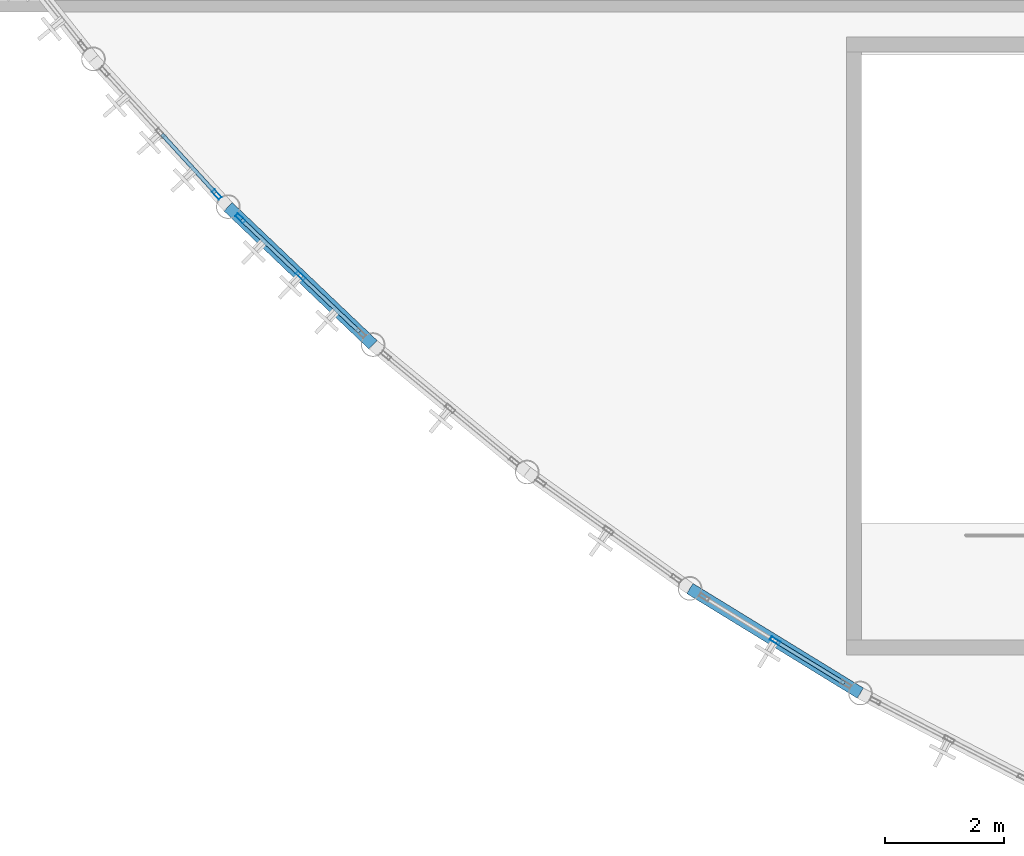
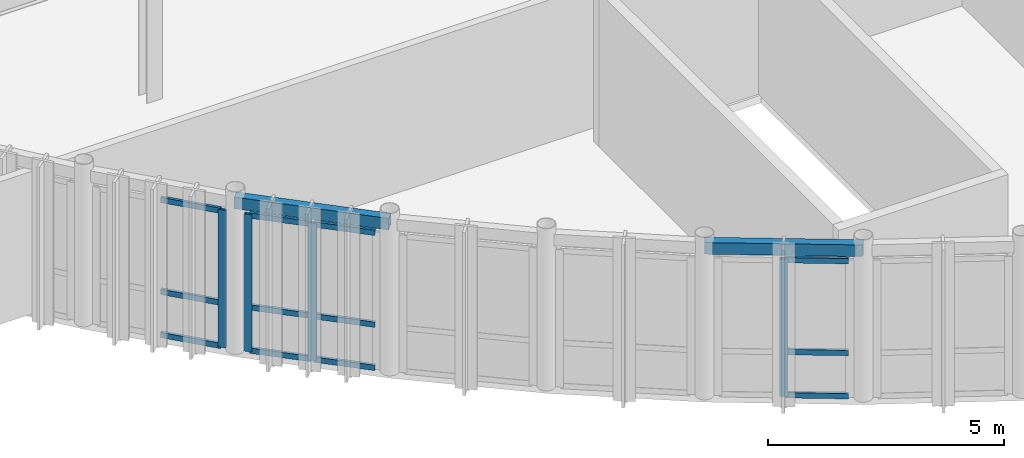
# One storey, part 12 of 54: 16 members, 2 beams, 3 elements without a shape of their own.
"""IFC4 building model written with IfcOpenShell, lengths in metres."""

from ifc_helpers import new_model, si_unit, direction, frame, origin, origin_2d, place, context, subcontext, project, spatial, hollow_rectangle, extrude, material, layer, layer_set, material_profile, profile_set, type_object, element, aggregate, save


model = new_model("IFC4")

# Units and contexts
model_context = context("Model", 3, precision=1e-05, world=origin(), true_north=direction((0.0, 1.0)))
body_context = subcontext(model_context, "Body", "Model", "MODEL_VIEW")
ifc_project = project(units=[si_unit("LENGTHUNIT", "METRE"), si_unit("AREAUNIT", "SQUARE_METRE"), si_unit("VOLUMEUNIT", "CUBIC_METRE"), si_unit("PLANEANGLEUNIT", "RADIAN"), si_unit("MASSUNIT", "GRAM", prefix="KILO")], contexts=[model_context])

# Site, building, storey
site_placement = place(None, origin())
site = spatial("IfcSite", under=ifc_project, at=site_placement, CompositionType="ELEMENT")
building_placement = place(site_placement, origin())
building = spatial("IfcBuilding", under=site, at=building_placement, Name="Selat Folded Stagehouse", CompositionType="ELEMENT")
storey_placement = place(building_placement, frame((0.0, 0.0, 15.0)))
storey = spatial("IfcBuildingStorey", under=building, at=storey_placement, Name="L03", CompositionType="ELEMENT", Elevation=15.0)

# Curtain wall, member
ifc_material_1 = material(Name="Aluminium 6063-T6", Category="aluminium")
ifc_layer = layer(ifc_material_1, 0.18505859375)
ifc_layer_set = layer_set([ifc_layer], Name="Aluminium 6063-T6")
curtain_wall_type = type_object("IfcCurtainWallType", Name="CW-DRM-UPPER", PredefinedType="NOTDEFINED", material=ifc_layer_set)
curtain_wall_1_placement = place(storey_placement, origin())
curtain_wall_1 = element("IfcCurtainWall", 1, at=curtain_wall_1_placement, inside=storey, type_object=curtain_wall_type, Name="L03 curtain wall CW-DRM-L03-12", PredefinedType="NOTDEFINED")
ifc_material_profile_1 = material_profile(ifc_material_1, hollow_rectangle(XDim=0.06494140625, YDim=0.179931640625, WallThickness=0.00390625, at=origin_2d()), Name="ALU 180x65x4.0")
ifc_profile_set_1 = profile_set([ifc_material_profile_1], Name="Aluminium 6063-T6")
member_type_1 = type_object("IfcMemberType", Name="CWM-MUL-180x65", PredefinedType="MULLION", material=ifc_profile_set_1)
member_1_placement = place(storey_placement, frame((13.507080078125, 14.633056640625, 0.0), z_axis=(0.0, 0.0, 1.0), x_axis=(-0.738729183213, -0.674002369336, 0.0)))
member_1 = element("IfcMember", 2, at=member_1_placement, type_object=member_type_1, Name="CW-03 mullion 1", PredefinedType="MULLION", context=body_context, shape_type="SweptSolid", body=[
    extrude(hollow_rectangle(XDim=0.06494140625, YDim=0.179931640625, WallThickness=0.00390625, at=origin_2d()), origin(), (0.0, 0.0, 1.0), 3.56005859375),
])

# Curtain wall, members
curtain_wall_2_placement = place(storey_placement, origin())
curtain_wall_2 = element("IfcCurtainWall", 3, at=curtain_wall_2_placement, inside=storey, type_object=curtain_wall_type, Name="L03 curtain wall CW-DRM-L03-13", PredefinedType="NOTDEFINED")
member_2_placement = place(storey_placement, frame((14.917236328125, 13.262451171875, 0.0), z_axis=(0.0, 0.0, 1.0), x_axis=(-0.689661264636, -0.724132128869, 0.0)))
member_2 = element("IfcMember", 4, at=member_2_placement, type_object=member_type_1, Name="CW-03 mullion 2", PredefinedType="MULLION", context=body_context, shape_type="SweptSolid", body=[
    extrude(hollow_rectangle(XDim=0.06494140625, YDim=0.179931640625, WallThickness=0.00390625, at=origin_2d()), origin(), (0.0, 0.0, 1.0), 3.56005859375),
])
member_3_placement = place(storey_placement, frame((13.90185546875, 14.2294921875, 0.0), z_axis=(0.0, 0.0, 1.0), x_axis=(-0.689661264636, -0.724132128869, 0.0)))
member_3 = element("IfcMember", 5, at=member_3_placement, type_object=member_type_1, Name="CW-03 mullion 3", PredefinedType="MULLION", context=body_context, shape_type="SweptSolid", body=[
    extrude(hollow_rectangle(XDim=0.06494140625, YDim=0.179931640625, WallThickness=0.00390625, at=origin_2d()), origin(), (0.0, 0.0, 1.0), 3.56005859375),
])

# Curtain wall, member
curtain_wall_3_placement = place(storey_placement, origin())
curtain_wall_3 = element("IfcCurtainWall", 6, at=curtain_wall_3_placement, inside=storey, type_object=curtain_wall_type, Name="L03 curtain wall CW-DRM-L03-16", PredefinedType="NOTDEFINED")
member_4_placement = place(storey_placement, frame((22.91015625, 7.114013671875, 0.0), z_axis=(0.0, 0.0, 1.0), x_axis=(-0.523025427755, -0.852317078277, 0.0)))
member_4 = element("IfcMember", 7, at=member_4_placement, type_object=member_type_1, Name="CW-03 mullion 2", PredefinedType="MULLION", context=body_context, shape_type="SweptSolid", body=[
    extrude(hollow_rectangle(XDim=0.06494140625, YDim=0.179931640625, WallThickness=0.00390625, at=origin_2d()), origin(), (0.0, 0.0, 1.0), 3.56005859375),
])

# Member
ifc_material_profile_2 = material_profile(ifc_material_1, hollow_rectangle(XDim=0.06494140625, YDim=0.139892578125, WallThickness=0.00390625, at=origin_2d()), Name="ALU 140x65x4.0")
ifc_profile_set_2 = profile_set([ifc_material_profile_2], Name="Aluminium 6063-T6")
member_type_2 = type_object("IfcMemberType", Name="CWM-TRN-140x65", PredefinedType="USERDEFINED", material=ifc_profile_set_2)
member_5_placement = place(storey_placement, frame((13.485107421875, 14.656982421875, 0.032470703125), z_axis=(-0.673953245799, 0.738773999594, 0.0), x_axis=(-0.738773999594, -0.673953245799, 0.0)))
member_5 = element("IfcMember", 8, at=member_5_placement, type_object=member_type_2, Name="CW-03 transom 1.1", ObjectType="TRANSOM", PredefinedType="USERDEFINED", context=body_context, shape_type="SweptSolid", body=[
    extrude(hollow_rectangle(XDim=0.06494140625, YDim=0.139892578125, WallThickness=0.00390625, at=origin_2d()), origin(), (0.0, 0.0, 1.0), 1.337158203125),
])

member_6_placement = place(storey_placement, frame((13.485107421875, 14.656982421875, 1.14990234375), z_axis=(-0.673953245799, 0.738773999594, 0.0), x_axis=(-0.738773999594, -0.673953245799, 0.0)))
member_6 = element("IfcMember", 9, at=member_6_placement, type_object=member_type_2, Name="CW-03 transom 1.2", ObjectType="TRANSOM", PredefinedType="USERDEFINED", context=body_context, shape_type="SweptSolid", body=[
    extrude(hollow_rectangle(XDim=0.06494140625, YDim=0.139892578125, WallThickness=0.00390625, at=origin_2d()), origin(), (0.0, 0.0, 1.0), 1.337158203125),
])

member_7_placement = place(storey_placement, frame((13.485107421875, 14.656982421875, 3.527587890625), z_axis=(-0.673953245799, 0.738773999594, 0.0), x_axis=(-0.738773999594, -0.673953245799, 0.0)))
member_7 = element("IfcMember", 10, at=member_7_placement, type_object=member_type_2, Name="CW-03 transom 1.3", ObjectType="TRANSOM", PredefinedType="USERDEFINED", context=body_context, shape_type="SweptSolid", body=[
    extrude(hollow_rectangle(XDim=0.06494140625, YDim=0.139892578125, WallThickness=0.00390625, at=origin_2d()), origin(), (0.0, 0.0, 1.0), 1.337158203125),
])

aggregate(curtain_wall_1, [member_1, member_5, member_6, member_7])

member_8_placement = place(storey_placement, frame((15.908935546875, 12.318115234375, 0.032470703125), z_axis=(-0.724150957523, 0.689641494343, 0.0), x_axis=(-0.689641494343, -0.724150957523, 0.0)))
member_8 = element("IfcMember", 11, at=member_8_placement, type_object=member_type_2, Name="CW-03 transom 1.1", ObjectType="TRANSOM", PredefinedType="USERDEFINED", context=body_context, shape_type="SweptSolid", body=[
    extrude(hollow_rectangle(XDim=0.06494140625, YDim=0.139892578125, WallThickness=0.00390625, at=origin_2d()), origin(), (0.0, 0.0, 1.0), 1.337158203125),
])

member_9_placement = place(storey_placement, frame((15.908935546875, 12.318115234375, 1.14990234375), z_axis=(-0.724150957523, 0.689641494343, 0.0), x_axis=(-0.689641494343, -0.724150957523, 0.0)))
member_9 = element("IfcMember", 12, at=member_9_placement, type_object=member_type_2, Name="CW-03 transom 1.2", ObjectType="TRANSOM", PredefinedType="USERDEFINED", context=body_context, shape_type="SweptSolid", body=[
    extrude(hollow_rectangle(XDim=0.06494140625, YDim=0.139892578125, WallThickness=0.00390625, at=origin_2d()), origin(), (0.0, 0.0, 1.0), 1.337158203125),
])

member_10_placement = place(storey_placement, frame((15.908935546875, 12.318115234375, 3.527587890625), z_axis=(-0.724150957523, 0.689641494343, 0.0), x_axis=(-0.689641494343, -0.724150957523, 0.0)))
member_10 = element("IfcMember", 13, at=member_10_placement, type_object=member_type_2, Name="CW-03 transom 1.3", ObjectType="TRANSOM", PredefinedType="USERDEFINED", context=body_context, shape_type="SweptSolid", body=[
    extrude(hollow_rectangle(XDim=0.06494140625, YDim=0.139892578125, WallThickness=0.00390625, at=origin_2d()), origin(), (0.0, 0.0, 1.0), 1.337158203125),
])

member_11_placement = place(storey_placement, frame((14.8935546875, 13.284912109375, 0.032470703125), z_axis=(-0.724064099626, 0.689732687084, 0.0), x_axis=(-0.689732687084, -0.724064099626, 0.0)))
member_11 = element("IfcMember", 14, at=member_11_placement, type_object=member_type_2, Name="CW-03 transom 2.1", ObjectType="TRANSOM", PredefinedType="USERDEFINED", context=body_context, shape_type="SweptSolid", body=[
    extrude(hollow_rectangle(XDim=0.06494140625, YDim=0.139892578125, WallThickness=0.00390625, at=origin_2d()), origin(), (0.0, 0.0, 1.0), 1.3369140625),
])

member_12_placement = place(storey_placement, frame((14.8935546875, 13.284912109375, 1.14990234375), z_axis=(-0.724064099626, 0.689732687084, 0.0), x_axis=(-0.689732687084, -0.724064099626, 0.0)))
member_12 = element("IfcMember", 15, at=member_12_placement, type_object=member_type_2, Name="CW-03 transom 2.2", ObjectType="TRANSOM", PredefinedType="USERDEFINED", context=body_context, shape_type="SweptSolid", body=[
    extrude(hollow_rectangle(XDim=0.06494140625, YDim=0.139892578125, WallThickness=0.00390625, at=origin_2d()), origin(), (0.0, 0.0, 1.0), 1.3369140625),
])

member_13_placement = place(storey_placement, frame((14.8935546875, 13.284912109375, 3.527587890625), z_axis=(-0.724064099626, 0.689732687084, 0.0), x_axis=(-0.689732687084, -0.724064099626, 0.0)))
member_13 = element("IfcMember", 16, at=member_13_placement, type_object=member_type_2, Name="CW-03 transom 2.3", ObjectType="TRANSOM", PredefinedType="USERDEFINED", context=body_context, shape_type="SweptSolid", body=[
    extrude(hollow_rectangle(XDim=0.06494140625, YDim=0.139892578125, WallThickness=0.00390625, at=origin_2d()), origin(), (0.0, 0.0, 1.0), 1.3369140625),
])

aggregate(curtain_wall_2, [member_2, member_3, member_8, member_9, member_10, member_11, member_12, member_13])

member_14_placement = place(storey_placement, frame((24.077392578125, 6.397705078125, 0.032470703125), z_axis=(-0.852278331158, 0.523088564432, 0.0), x_axis=(-0.523088564432, -0.852278331158, 0.0)))
member_14 = element("IfcMember", 17, at=member_14_placement, type_object=member_type_2, Name="CW-03 transom 1.1", ObjectType="TRANSOM", PredefinedType="USERDEFINED", context=body_context, shape_type="SweptSolid", body=[
    extrude(hollow_rectangle(XDim=0.06494140625, YDim=0.139892578125, WallThickness=0.00390625, at=origin_2d()), origin(), (0.0, 0.0, 1.0), 1.337158203125),
])

member_15_placement = place(storey_placement, frame((24.077392578125, 6.397705078125, 1.14990234375), z_axis=(-0.852278331158, 0.523088564432, 0.0), x_axis=(-0.523088564432, -0.852278331158, 0.0)))
member_15 = element("IfcMember", 18, at=member_15_placement, type_object=member_type_2, Name="CW-03 transom 1.2", ObjectType="TRANSOM", PredefinedType="USERDEFINED", context=body_context, shape_type="SweptSolid", body=[
    extrude(hollow_rectangle(XDim=0.06494140625, YDim=0.139892578125, WallThickness=0.00390625, at=origin_2d()), origin(), (0.0, 0.0, 1.0), 1.337158203125),
])

member_16_placement = place(storey_placement, frame((24.077392578125, 6.397705078125, 3.527587890625), z_axis=(-0.852278331158, 0.523088564432, 0.0), x_axis=(-0.523088564432, -0.852278331158, 0.0)))
member_16 = element("IfcMember", 19, at=member_16_placement, type_object=member_type_2, Name="CW-03 transom 1.3", ObjectType="TRANSOM", PredefinedType="USERDEFINED", context=body_context, shape_type="SweptSolid", body=[
    extrude(hollow_rectangle(XDim=0.06494140625, YDim=0.139892578125, WallThickness=0.00390625, at=origin_2d()), origin(), (0.0, 0.0, 1.0), 1.337158203125),
])

aggregate(curtain_wall_3, [member_4, member_14, member_15, member_16])

# Beams
ifc_material_2 = material(Name="Steel S355", Category="steel")
ifc_material_profile_3 = material_profile(ifc_material_2, hollow_rectangle(XDim=0.199951171875, YDim=0.300048828125, WallThickness=0.012451171875, at=origin_2d()), Name="RHS 300x200x12.5")
ifc_profile_set_3 = profile_set([ifc_material_profile_3], Name="Steel S355")
beam_type = type_object("IfcBeamType", Name="SPD-RHS-300x200", PredefinedType="SPANDREL", material=ifc_profile_set_3)
for number, where, z_axis, x_axis, name in (
    (20, (13.697509765625, 14.42431640625, 3.85009765625), (0.724108632634, -0.689685934426, 0.0), (0.689685934426, 0.724108632634, 0.0), "L03 curved drum spandrel beam 14"),
    (21, (21.474365234375, 7.9951171875, 3.85009765625), (0.852289688317, -0.523070059542, 0.0), (0.523070059542, 0.852289688317, 0.0), "L03 curved drum spandrel beam 17"),
):
    element("IfcBeam", number, at=place(storey_placement, frame(where, z_axis=z_axis, x_axis=x_axis)), inside=storey, type_object=beam_type, Name=name, PredefinedType="SPANDREL", context=body_context, shape_type="SweptSolid", body=[
        extrude(hollow_rectangle(XDim=0.199951171875, YDim=0.300048828125, WallThickness=0.012451171875, at=origin_2d()), origin(), (0.0, 0.0, 1.0), 3.368896484375),
    ])

save(model, "model.ifc")
